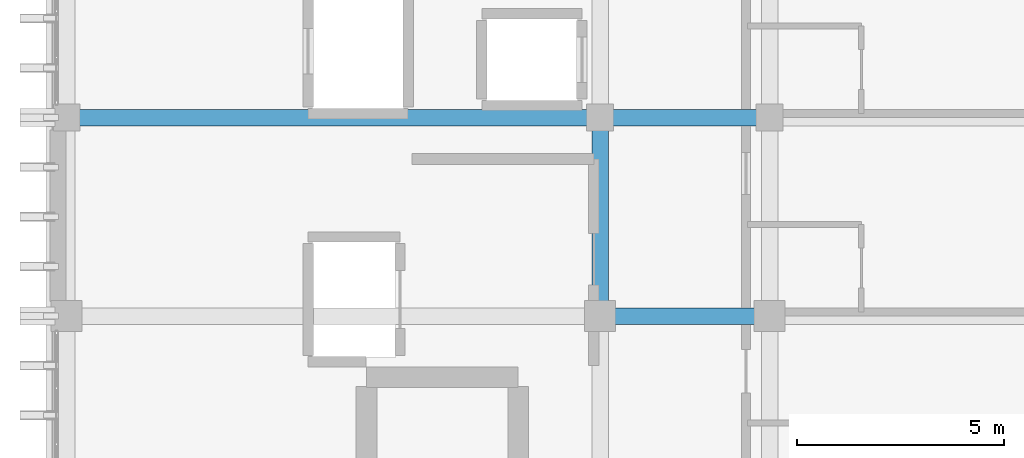
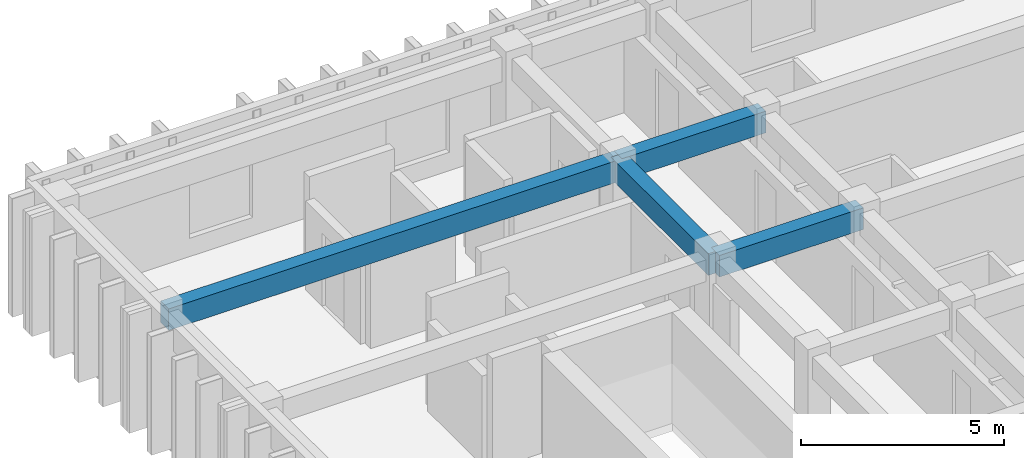
# One storey, part 43 of 64: 4 beams.
"""IFC4 building model written with IfcOpenShell, lengths in metres."""

from ifc_helpers import new_model, si_unit, direction, frame, origin, origin_2d, place, context, subcontext, project, spatial, rectangle, extrude, material, material_profile, profile_set, type_object, element, save


model = new_model("IFC4")

# Units and contexts
model_context = context("Model", 3, precision=1e-05, world=origin(), true_north=direction((0.0, 1.0)))
body_context = subcontext(model_context, "Body", "Model", "MODEL_VIEW")
ifc_project = project(units=[si_unit("LENGTHUNIT", "METRE"), si_unit("AREAUNIT", "SQUARE_METRE"), si_unit("VOLUMEUNIT", "CUBIC_METRE"), si_unit("PLANEANGLEUNIT", "RADIAN"), si_unit("MASSUNIT", "GRAM", prefix="KILO")], contexts=[model_context])

# Site, building, storey
site_placement = place(None, origin())
site = spatial("IfcSite", under=ifc_project, at=site_placement, CompositionType="ELEMENT")
building_placement = place(site_placement, origin())
building = spatial("IfcBuilding", under=site, at=building_placement, Name="Nakhvara Creek Congress Hotel", CompositionType="ELEMENT")
storey_placement = place(building_placement, frame((0.0, 0.0, 28.199951171875)))
storey = spatial("IfcBuildingStorey", under=building, at=storey_placement, Name="L06", CompositionType="ELEMENT", Elevation=28.199951171875)

# Beams
ifc_material = material(Name="Concrete C40/50", Category="concrete")
ifc_material_profile = material_profile(ifc_material, rectangle(XDim=0.39990234375, YDim=0.64990234375, at=origin_2d()), Name="RC-BM 400x650", Category="LoadBearing")
ifc_profile_set = profile_set([ifc_material_profile], Name="Concrete C40/50")
beam_type = type_object("IfcBeamType", Name="BM-RC-400X650", PredefinedType="BEAM", material=ifc_profile_set)
beam_1_placement = place(storey_placement, frame((162.35009765625, 115.199951171875, 3.01513671875), z_axis=(1.0, 0.0, 0.0), x_axis=(0.0, 1.0, 0.0)))
element("IfcBeam", 1, at=beam_1_placement, inside=storey, type_object=beam_type, Name="Beam B06-L06-2242", PredefinedType="BEAM", context=body_context, shape_type="SweptSolid", body=[
    extrude(rectangle(XDim=0.39990234375, YDim=0.64990234375, at=origin_2d()), origin(), (0.0, 0.0, 1.0), 4.099853515625),
])
beam_2_placement = place(storey_placement, frame((162.35009765625, 115.199951171875, 3.01513671875), z_axis=(0.0, 1.0, 0.0), x_axis=(-1.0, 0.0, 0.0)))
element("IfcBeam", 2, at=beam_2_placement, inside=storey, type_object=beam_type, Name="Beam B06-L06-2244", PredefinedType="BEAM", context=body_context, shape_type="SweptSolid", body=[
    extrude(rectangle(XDim=0.39990234375, YDim=0.64990234375, at=origin_2d()), origin(), (0.0, 0.0, 1.0), 4.800048828125),
])
beam_3_placement = place(storey_placement, frame((149.449951171875, 120.0, 3.01513671875), z_axis=(1.0, 0.0, 0.0), x_axis=(0.0, 1.0, 0.0)))
element("IfcBeam", 3, at=beam_3_placement, inside=storey, type_object=beam_type, Name="Beam B06-L06-2299", PredefinedType="BEAM", context=body_context, shape_type="SweptSolid", body=[
    extrude(rectangle(XDim=0.39990234375, YDim=0.64990234375, at=origin_2d()), origin(), (0.0, 0.0, 1.0), 12.900146484375),
])
beam_4_placement = place(storey_placement, frame((162.35009765625, 120.0, 3.01513671875), z_axis=(1.0, 0.0, 0.0), x_axis=(0.0, 1.0, 0.0)))
element("IfcBeam", 4, at=beam_4_placement, inside=storey, type_object=beam_type, Name="Beam B06-L06-2308", PredefinedType="BEAM", context=body_context, shape_type="SweptSolid", body=[
    extrude(rectangle(XDim=0.39990234375, YDim=0.64990234375, at=origin_2d()), origin(), (0.0, 0.0, 1.0), 4.099853515625),
])

save(model, "model.ifc")
